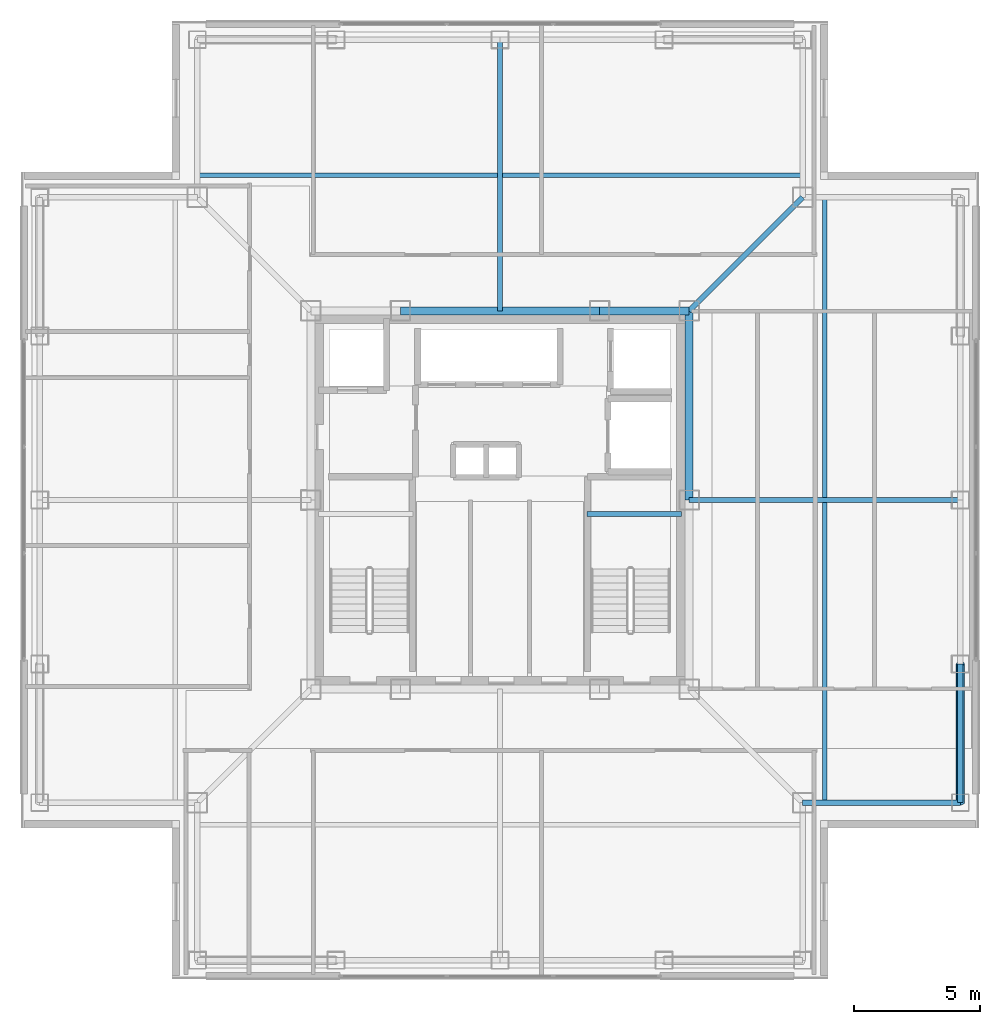
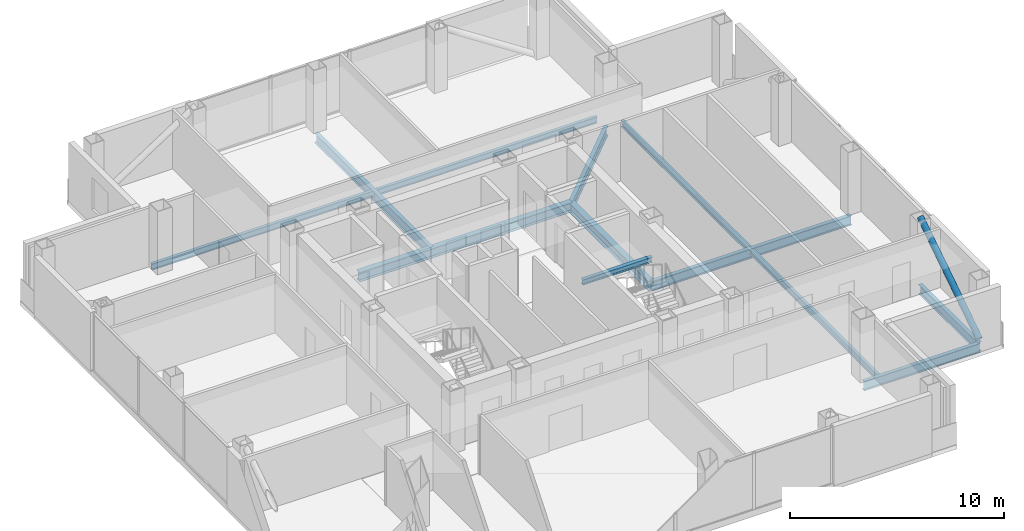
# One storey, part 5 of 16: 11 beams, 1 member.
"""IFC4 building model written with IfcOpenShell, lengths in metres."""

from ifc_helpers import new_model, si_unit, direction, frame, origin, origin_2d, place, context, subcontext, project, spatial, hollow_circle, i_section, extrude, material, material_profile, profile_set, type_object, element, save


model = new_model("IFC4")

# Units and contexts
model_context = context("Model", 3, precision=1e-05, world=origin(), true_north=direction((0.0, 1.0)))
body_context = subcontext(model_context, "Body", "Model", "MODEL_VIEW")
ifc_project = project(units=[si_unit("LENGTHUNIT", "METRE"), si_unit("AREAUNIT", "SQUARE_METRE"), si_unit("VOLUMEUNIT", "CUBIC_METRE"), si_unit("PLANEANGLEUNIT", "RADIAN"), si_unit("MASSUNIT", "GRAM", prefix="KILO")], contexts=[model_context])

# Site, building, storey
site_placement = place(None, origin())
site = spatial("IfcSite", under=ifc_project, at=site_placement, CompositionType="ELEMENT")
building_placement = place(site_placement, origin())
building = spatial("IfcBuilding", under=site, at=building_placement, Name="Trevonay Congress Spire", CompositionType="ELEMENT")
storey_placement = place(building_placement, frame((0.0, 0.0, 279.199951171875)))
storey = spatial("IfcBuildingStorey", under=building, at=storey_placement, Name="L73", CompositionType="ELEMENT", Elevation=279.199951171875)

# Beams
ifc_material_1 = material(Name="Steel ASTM A572 Grade 50", Category="steel")
ifc_material_profile_1 = material_profile(ifc_material_1, i_section(OverallWidth=0.2119140625, OverallDepth=0.5439453125, WebThickness=0.01318359375, FlangeThickness=0.021240234375, FilletRadius=0.014892578125, at=origin_2d()), Name="W530x123")
ifc_profile_set_1 = profile_set([ifc_material_profile_1], Name="Steel ASTM A572 Grade 50")
beam_type_1 = type_object("IfcBeamType", Name="BM-GIRD-W530X123", PredefinedType="BEAM", material=ifc_profile_set_1)
beam_1_placement = place(storey_placement, frame((7.5, 7.5, -0.511962890625), z_axis=(0.707106781187, 0.707106781187, 0.0), x_axis=(-0.707106781187, 0.707106781187, 0.0)))
element("IfcBeam", 1, at=beam_1_placement, inside=storey, type_object=beam_type_1, Name="L73 structural beam BM-L73-CDNE", PredefinedType="BEAM", context=body_context, shape_type="SweptSolid", body=[
    extrude(i_section(OverallWidth=0.2119140625, OverallDepth=0.5439453125, WebThickness=0.01318359375, FlangeThickness=0.021240234375, FilletRadius=0.014892578125, at=origin_2d()), origin(), (0.0, 0.0, 1.0), 6.364013671875),
])
for number, where, z_axis, x_axis, name in (
    (2, (0.0, 7.5, -0.511962890625), (0.0, 1.0, 0.0), (-1.0, 0.0, 0.0), "L73 structural beam BM-L73-GC-N"),
    (3, (7.5, 0.0, -0.511962890625), (1.0, 0.0, 0.0), (0.0, 1.0, 0.0), "L73 structural beam BM-L73-GC-E"),
):
    element("IfcBeam", number, at=place(storey_placement, frame(where, z_axis=z_axis, x_axis=x_axis)), inside=storey, type_object=beam_type_1, Name=name, PredefinedType="BEAM", context=body_context, shape_type="SweptSolid", body=[
        extrude(i_section(OverallWidth=0.2119140625, OverallDepth=0.5439453125, WebThickness=0.01318359375, FlangeThickness=0.021240234375, FilletRadius=0.014892578125, at=origin_2d()), origin(), (0.0, 0.0, 1.0), 10.75),
    ])
ifc_material_profile_2 = material_profile(ifc_material_1, i_section(OverallWidth=0.31201171875, OverallDepth=0.54296875, WebThickness=0.0126953125, FlangeThickness=0.020263671875, FilletRadius=0.014892578125, at=origin_2d()), Name="W530x150")
ifc_profile_set_2 = profile_set([ifc_material_profile_2], Name="Steel ASTM A572 Grade 50")
beam_type_2 = type_object("IfcBeamType", Name="BM-GIRD-W530X150", PredefinedType="BEAM", material=ifc_profile_set_2)
beam_2_placement = place(storey_placement, frame((-3.949951171875, 7.5, -0.511474609375), z_axis=(1.0, 0.0, 0.0), x_axis=(0.0, 1.0, 0.0)))
element("IfcBeam", 4, at=beam_2_placement, inside=storey, type_object=beam_type_2, Name="L73 structural beam BM-L73-CR-N2", PredefinedType="BEAM", context=body_context, shape_type="SweptSolid", body=[
    extrude(i_section(OverallWidth=0.31201171875, OverallDepth=0.54296875, WebThickness=0.0126953125, FlangeThickness=0.020263671875, FilletRadius=0.014892578125, at=origin_2d()), origin(), (0.0, 0.0, 1.0), 7.89990234375),
])
beam_3_placement = place(storey_placement, frame((3.949951171875, 7.5, -0.511474609375), z_axis=(1.0, 0.0, 0.0), x_axis=(0.0, 1.0, 0.0)))
element("IfcBeam", 5, at=beam_3_placement, inside=storey, type_object=beam_type_2, Name="L73 structural beam BM-L73-CR-N3", PredefinedType="BEAM", context=body_context, shape_type="SweptSolid", body=[
    extrude(i_section(OverallWidth=0.31201171875, OverallDepth=0.54296875, WebThickness=0.0126953125, FlangeThickness=0.020263671875, FilletRadius=0.014892578125, at=origin_2d()), origin(), (0.0, 0.0, 1.0), 3.550048828125),
])
beam_4_placement = place(storey_placement, frame((7.5, 0.0, -0.511474609375), z_axis=(0.0, 1.0, 0.0), x_axis=(-1.0, 0.0, 0.0)))
element("IfcBeam", 6, at=beam_4_placement, inside=storey, type_object=beam_type_2, Name="L73 structural beam BM-L73-CR-E2", PredefinedType="BEAM", context=body_context, shape_type="SweptSolid", body=[
    extrude(i_section(OverallWidth=0.31201171875, OverallDepth=0.54296875, WebThickness=0.0126953125, FlangeThickness=0.020263671875, FilletRadius=0.014892578125, at=origin_2d()), origin(), (0.0, 0.0, 1.0), 7.5),
])
ifc_material_profile_3 = material_profile(ifc_material_1, i_section(OverallWidth=0.208984375, OverallDepth=0.532958984375, WebThickness=0.01025390625, FlangeThickness=0.015625, FilletRadius=0.014892578125, at=origin_2d()), Name="W530x92")
ifc_profile_set_3 = profile_set([ifc_material_profile_3], Name="Steel ASTM A572 Grade 50")
beam_type_3 = type_object("IfcBeamType", Name="BM-RING-W530X92", PredefinedType="BEAM", material=ifc_profile_set_3)
beam_5_placement = place(storey_placement, frame((18.25, -12.0, -0.50634765625), z_axis=(0.0, 1.0, 0.0), x_axis=(-1.0, 0.0, 0.0)))
element("IfcBeam", 7, at=beam_5_placement, inside=storey, type_object=beam_type_3, Name="L73 structural beam BM-L73-PE1", PredefinedType="BEAM", context=body_context, shape_type="SweptSolid", body=[
    extrude(i_section(OverallWidth=0.208984375, OverallDepth=0.532958984375, WebThickness=0.01025390625, FlangeThickness=0.015625, FilletRadius=0.014892578125, at=origin_2d()), origin(), (0.0, 0.0, 1.0), 5.5),
])
beam_6_placement = place(storey_placement, frame((18.25, -12.0, -0.50634765625), z_axis=(-1.0, 0.0, 0.0), x_axis=(0.0, -1.0, 0.0)))
element("IfcBeam", 8, at=beam_6_placement, inside=storey, type_object=beam_type_3, Name="L73 structural beam BM-L73-N2SE", PredefinedType="BEAM", context=body_context, shape_type="SweptSolid", body=[
    extrude(i_section(OverallWidth=0.208984375, OverallDepth=0.532958984375, WebThickness=0.01025390625, FlangeThickness=0.015625, FilletRadius=0.014892578125, at=origin_2d()), origin(), (0.0, 0.0, 1.0), 6.25),
])
ifc_material_profile_4 = material_profile(ifc_material_1, i_section(OverallWidth=0.172119140625, OverallDepth=0.35791015625, WebThickness=0.0078125, FlangeThickness=0.01318359375, FilletRadius=0.011962890625, at=origin_2d()), Name="W360x57.8")
ifc_profile_set_4 = profile_set([ifc_material_profile_4], Name="Steel ASTM A572 Grade 50")
beam_type_4 = type_object("IfcBeamType", Name="JS-COMP-W360X57", PredefinedType="JOIST", material=ifc_profile_set_4)
for number, where, z_axis, x_axis, name in (
    (9, (-12.0, 12.875, -0.4189453125), (1.0, 0.0, 0.0), (0.0, 1.0, 0.0), "L73 structural beam JS-L73-RING-N"),
    (10, (12.875, -12.0, -0.4189453125), (0.0, 1.0, 0.0), (-1.0, 0.0, 0.0), "L73 structural beam JS-L73-RING-E"),
):
    element("IfcBeam", number, at=place(storey_placement, frame(where, z_axis=z_axis, x_axis=x_axis)), inside=storey, type_object=beam_type_4, Name=name, PredefinedType="JOIST", context=body_context, shape_type="SweptSolid", body=[
        extrude(i_section(OverallWidth=0.172119140625, OverallDepth=0.35791015625, WebThickness=0.0078125, FlangeThickness=0.01318359375, FilletRadius=0.011962890625, at=origin_2d()), origin(), (0.0, 0.0, 1.0), 24.0),
    ])
ifc_material_profile_5 = material_profile(ifc_material_1, i_section(OverallWidth=0.2041015625, OverallDepth=0.305908203125, WebThickness=0.008544921875, FlangeThickness=0.0146484375, FilletRadius=0.010986328125, at=origin_2d()), Name="W310x67")
ifc_profile_set_5 = profile_set([ifc_material_profile_5], Name="Steel ASTM A572 Grade 50")
beam_type_5 = type_object("IfcBeamType", Name="LN-CORE-W310X67", PredefinedType="LINTEL", material=ifc_profile_set_5)
beam_7_placement = place(storey_placement, frame((3.449951171875, -0.550048828125, 1.447021484375), z_axis=(1.0, 0.0, 0.0), x_axis=(0.0, 1.0, 0.0)))
element("IfcBeam", 11, at=beam_7_placement, inside=storey, type_object=beam_type_5, Name="L73 structural beam BM-L73-HL-ST2", PredefinedType="LINTEL", context=body_context, shape_type="SweptSolid", body=[
    extrude(i_section(OverallWidth=0.2041015625, OverallDepth=0.305908203125, WebThickness=0.008544921875, FlangeThickness=0.0146484375, FilletRadius=0.010986328125, at=origin_2d()), origin(), (0.0, 0.0, 1.0), 3.75),
])

# Member
ifc_material_2 = material(Name="Steel ASTM A500 Grade C", Category="steel")
ifc_material_profile_6 = material_profile(ifc_material_2, hollow_circle(Radius=0.161865234375, WallThickness=0.01611328125, at=origin_2d()), Name="CHS 323.9x16")
ifc_profile_set_6 = profile_set([ifc_material_profile_6], Name="Steel ASTM A500 Grade C")
member_type = type_object("IfcMemberType", Name="MBR-TUBE-CHS324", PredefinedType="BRACE", material=ifc_profile_set_6)
member_placement = place(storey_placement, frame((18.25, -12.0, -0.050048828125), z_axis=(0.0, 0.836694709366, 0.547669574943), x_axis=(-1.0, 0.0, 0.0)))
element("IfcMember", 12, at=member_placement, inside=storey, type_object=member_type, Name="L73 perimeter braced-tube diagonal E0", PredefinedType="BRACE", context=body_context, shape_type="SweptSolid", body=[
    extrude(hollow_circle(Radius=0.161865234375, WallThickness=0.01611328125, at=origin_2d()), origin(), (0.0, 0.0, 1.0), 6.573486328125),
])

save(model, "model.ifc")
